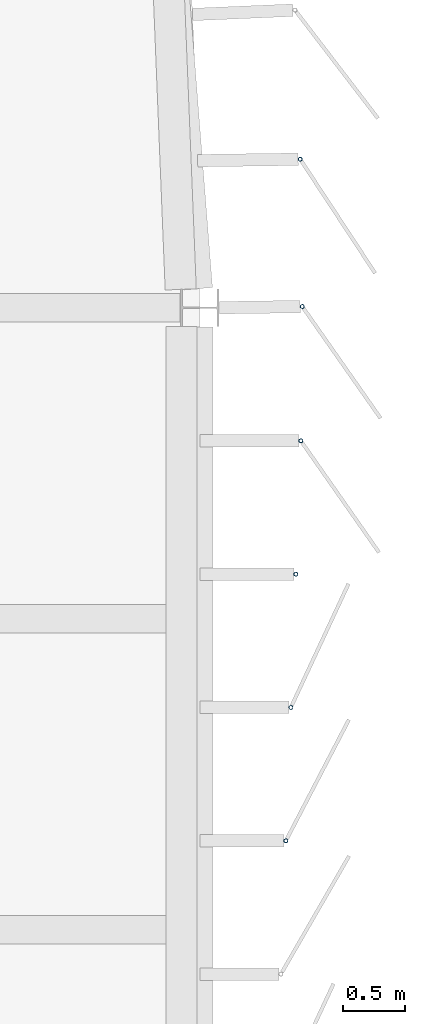
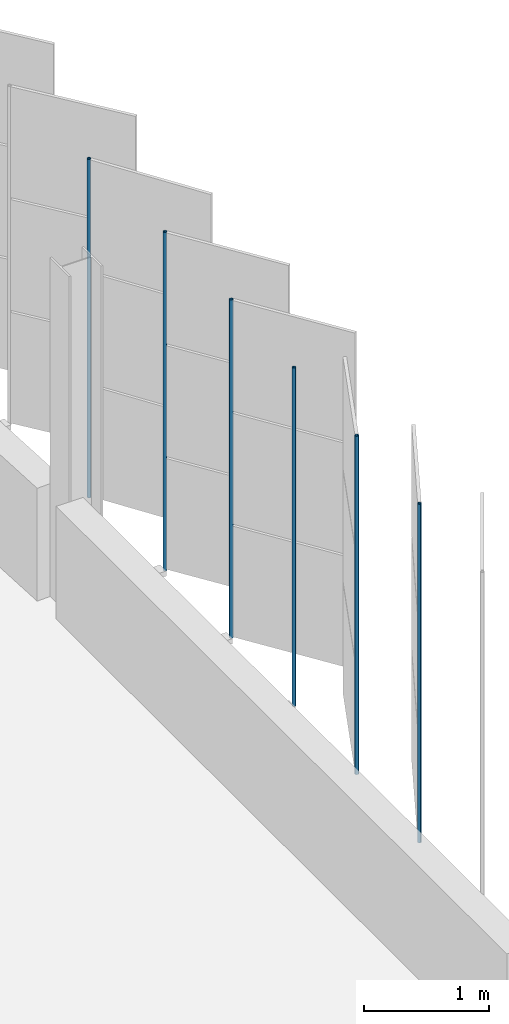
# One storey, part 135 of 214: 6 discrete accessories.
"""IFC4 building model written with IfcOpenShell, lengths in metres."""

from ifc_helpers import new_model, si_unit, direction, frame, origin, origin_2d, place, context, subcontext, project, spatial, hollow_circle, extrude, material, material_profile, profile_set, type_object, element, save


model = new_model("IFC4")

# Units and contexts
model_context = context("Model", 3, precision=1e-05, world=origin(), true_north=direction((0.0, 1.0)))
body_context = subcontext(model_context, "Body", "Model", "MODEL_VIEW")
ifc_project = project(units=[si_unit("LENGTHUNIT", "METRE"), si_unit("AREAUNIT", "SQUARE_METRE"), si_unit("VOLUMEUNIT", "CUBIC_METRE"), si_unit("PLANEANGLEUNIT", "RADIAN"), si_unit("MASSUNIT", "GRAM", prefix="KILO")], contexts=[model_context])

# Site, building, storey
site_placement = place(None, origin())
site = spatial("IfcSite", under=ifc_project, at=site_placement, CompositionType="ELEMENT")
building_placement = place(site_placement, origin())
building = spatial("IfcBuilding", under=site, at=building_placement, Name="Parallax Yard Mobility Hub", CompositionType="ELEMENT")
storey_placement = place(building_placement, frame((0.0, 0.0, 3.300048828125)))
storey = spatial("IfcBuildingStorey", under=building, at=storey_placement, Name="L01", CompositionType="ELEMENT", Elevation=3.300048828125)

# Discrete accessories
ifc_material = material(Name="Steel ASTM A500 Gr C, hot-dip galvanised", Category="steel")
ifc_material_profile = material_profile(ifc_material, hollow_circle(Radius=0.016845703125, WallThickness=0.003173828125, at=origin_2d()), Name="CHS 33.7x3.2")
ifc_profile_set = profile_set([ifc_material_profile], Name="Steel ASTM A500 Gr C, hot-dip galvanised")
discrete_accessory_type = type_object("IfcDiscreteAccessoryType", Name="Hinge post CHS 33.7x3.2", PredefinedType="BRACKET", material=ifc_profile_set)
for number, where, z_axis, x_axis, name in (
    (1, (225.69140625, 85.715576171875, 0.0), (0.0, 0.0, 1.0), (1.0, 0.0, 0.0), "Hinge post bay 40.4 level L01"),
    (2, (225.731689453125, 86.787109375, 0.0), (0.0, 0.0, 1.0), (1.0, 0.0, 0.0), "Hinge post bay 40.5 level L01"),
    (3, (225.771728515625, 87.85888671875, 0.0), (0.0, 0.0, 1.0), (1.0, 0.0, 0.0), "Hinge post bay 40.6 level L01"),
    (4, (225.811767578125, 88.9306640625, 0.0), (0.0, 0.0, 1.0), (1.0, 0.0, 0.0), "Hinge post bay 40.7 level L01"),
    (5, (225.82373046875, 90.010009765625, 0.0), (0.0, 0.0, 1.0), (1.0, 0.0, 0.0), "Hinge post bay 41.1 level L01"),
    (6, (225.806884765625, 91.194091796875, 0.0), (0.0, 0.0, 1.0), (1.0, 0.0, 0.0), "Hinge post bay 41.2 level L01"),
):
    element("IfcDiscreteAccessory", number, at=place(storey_placement, frame(where, z_axis=z_axis, x_axis=x_axis)), inside=storey, type_object=discrete_accessory_type, Name=name, PredefinedType="BRACKET", context=body_context, shape_type="SweptSolid", body=[
        extrude(hollow_circle(Radius=0.016845703125, WallThickness=0.003173828125, at=origin_2d()), origin(), (0.0, 0.0, 1.0), 3.300048828125),
    ])

save(model, "model.ifc")
